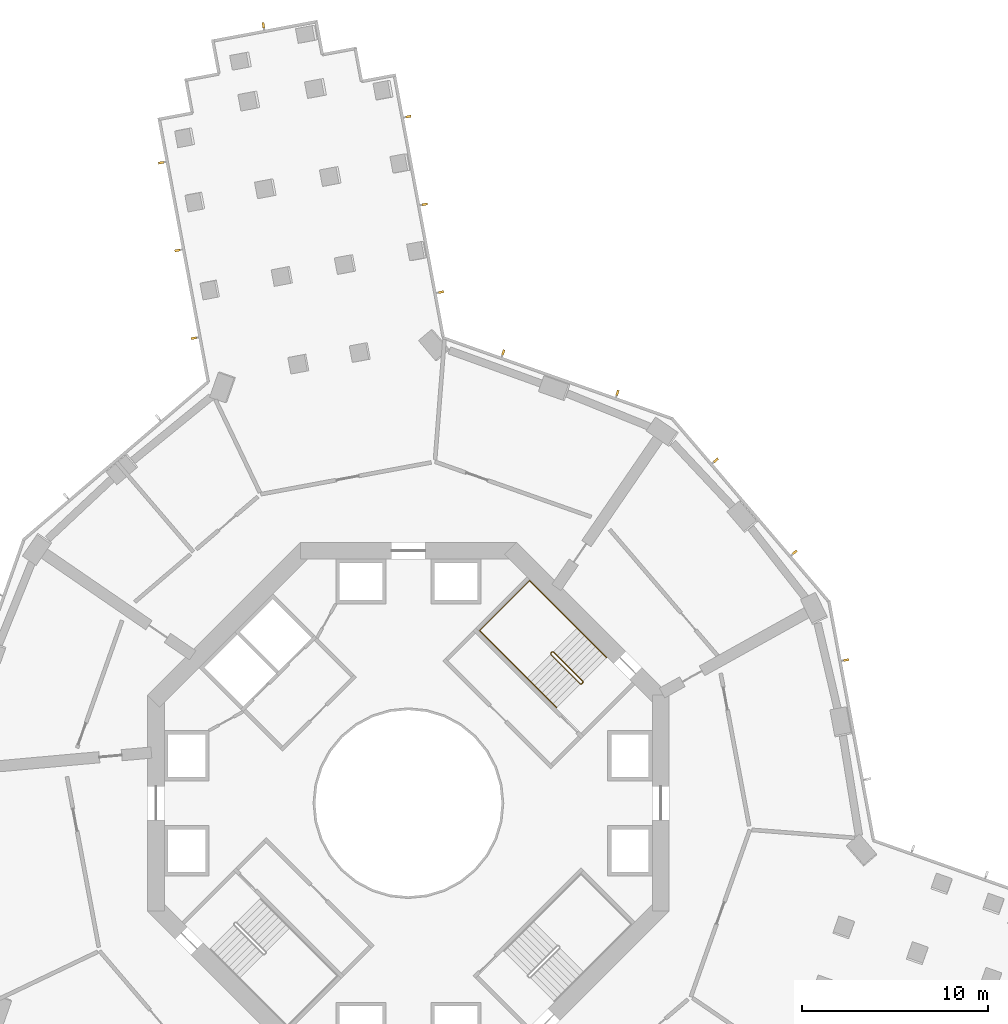
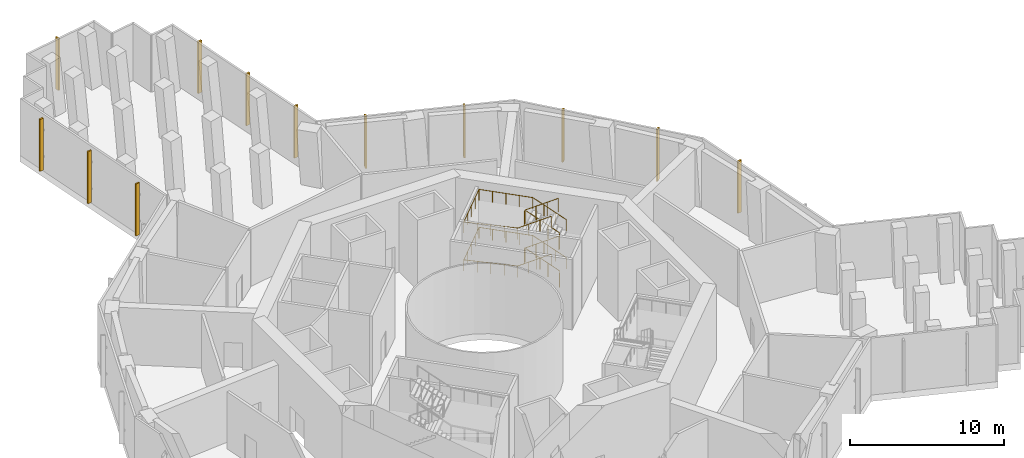
# One storey, part 20 of 20: 12 shading devices, 3 railings.
"""IFC4 building model written with IfcOpenShell, lengths in metres."""

from ifc_helpers import new_model, si_unit, direction, frame, origin, origin_2d, place, context, subcontext, project, spatial, rectangle, circle, extrude, material, material_profile, profile_set, type_object, element, save


model = new_model("IFC4")

# Units and contexts
model_context = context("Model", 3, precision=1e-05, world=origin(), true_north=direction((0.0, 1.0)))
body_context = subcontext(model_context, "Body", "Model", "MODEL_VIEW")
ifc_project = project(units=[si_unit("LENGTHUNIT", "METRE"), si_unit("AREAUNIT", "SQUARE_METRE"), si_unit("VOLUMEUNIT", "CUBIC_METRE"), si_unit("PLANEANGLEUNIT", "RADIAN"), si_unit("MASSUNIT", "GRAM", prefix="KILO")], contexts=[model_context])

# Site, building, storey
site_placement = place(None, origin())
site = spatial("IfcSite", under=ifc_project, at=site_placement, CompositionType="ELEMENT")
building_placement = place(site_placement, origin())
building = spatial("IfcBuilding", under=site, at=building_placement, Name="Verdalira Terraces Hotel", CompositionType="ELEMENT")
storey_placement = place(building_placement, frame((0.0, 0.0, 75.0)))
storey = spatial("IfcBuildingStorey", under=building, at=storey_placement, Name="L17", CompositionType="ELEMENT", Elevation=75.0)

# Railings
ifc_material_1 = material(Name="Stainless steel", Category="steel")
railing_type_1 = type_object("IfcRailingType", Name="Stair guard 1100", PredefinedType="GUARDRAIL", material=ifc_material_1)
railing_1_placement = place(storey_placement, frame((9.369141, 6.469971, 0.0)))
element("IfcRailing", 1, at=railing_1_placement, inside=storey, type_object=railing_type_1, Name="L17 ST1 stair guard 1", PredefinedType="GUARDRAIL", context=body_context, shape_type="SweptSolid", body=[
    extrude(circle(Radius=0.023926, at=origin_2d()), frame((0.0, 0.0, 1.076172), z_axis=(-0.70832698, -0.705884473, 0.0), x_axis=(0.705884473, -0.70832698, 0.0)), (0.0, 0.0, 1.0), 0.099854),
    extrude(circle(Radius=0.023926, at=origin_2d()), frame((-0.070801, -0.070557, 1.076172), z_axis=(0.308122069, 0.615181649, 0.725680598), x_axis=(-0.894118129, 0.447831187, 0.0)), (0.0, 0.0, 1.0), 0.229736),
    extrude(circle(Radius=0.023926, at=origin_2d()), frame((0.0, 0.070801, 1.242676), z_axis=(-0.607628069, 0.607628069, 0.511445266), x_axis=(-0.707106781, -0.707106781, 0.0)), (0.0, 0.0, 1.0), 2.606934),
    extrude(circle(Radius=0.023926, at=origin_2d()), frame((-1.583984, 1.654785, 2.576172), z_axis=(-1.0, 0.0, 0.0), x_axis=(0.0, -1.0, 0.0)), (0.0, 0.0, 1.0), 0.070557),
    extrude(circle(Radius=0.023926, at=origin_2d()), frame((-1.654541, 1.654785, 2.576172), z_axis=(-0.707106781, -0.707106781, 0.0), x_axis=(0.707106781, -0.707106781, 0.0)), (0.0, 0.0, 1.0), 0.100098),
    extrude(circle(Radius=0.023926, at=origin_2d()), frame((-1.725342, 1.583984, 2.576172), z_axis=(0.0, -0.390826706, 0.920464277), x_axis=(1.0, 0.0, 0.0)), (0.0, 0.0, 1.0), 0.181152),
    extrude(circle(Radius=0.023926, at=origin_2d()), frame((-1.725342, 1.513184, 2.742676), z_axis=(0.607662647, -0.607568988, 0.511474371), x_axis=(0.707052281, 0.707161277, 0.0)), (0.0, 0.0, 1.0), 2.606689),
    extrude(circle(Radius=0.023926, at=origin_2d()), frame((-0.141357, -0.070557, 4.076172), z_axis=(1.0, 0.0, 0.0), x_axis=(0.0, 1.0, 0.0)), (0.0, 0.0, 1.0), 0.070557),
    extrude(circle(Radius=0.023926, at=origin_2d()), frame((-0.070801, -0.070557, 4.076172), z_axis=(0.70832698, 0.705884473, 0.0), x_axis=(-0.705884473, 0.70832698, 0.0)), (0.0, 0.0, 1.0), 0.099854),
    extrude(circle(Radius=0.023926, at=origin_2d()), frame((0.0, 0.0, 4.076172), z_axis=(0.0, 0.390826706, 0.920464277), x_axis=(-1.0, 0.0, 0.0)), (0.0, 0.0, 1.0), 0.181152),
    extrude(circle(Radius=0.023926, at=origin_2d()), frame((0.0, 0.070801, 4.242676), z_axis=(-0.607628069, 0.607628069, 0.511445266), x_axis=(-0.707106781, -0.707106781, 0.0)), (0.0, 0.0, 1.0), 2.606934),
    extrude(circle(Radius=0.023926, at=origin_2d()), frame((-1.583984, 1.654785, 5.576172), z_axis=(-1.0, 0.0, 0.0), x_axis=(0.0, -1.0, 0.0)), (0.0, 0.0, 1.0), 0.070557),
    extrude(circle(Radius=0.023926, at=origin_2d()), frame((-1.654541, 1.654785, 5.576172), z_axis=(-0.707106781, -0.707106781, 0.0), x_axis=(0.707106781, -0.707106781, 0.0)), (0.0, 0.0, 1.0), 0.100098),
    extrude(circle(Radius=0.023926, at=origin_2d()), frame((-1.725342, 1.583984, 5.576172), z_axis=(0.0, -0.390826706, 0.920464277), x_axis=(1.0, 0.0, 0.0)), (0.0, 0.0, 1.0), 0.181152),
    extrude(circle(Radius=0.023926, at=origin_2d()), frame((-1.725342, 1.513184, 5.742676), z_axis=(0.607662647, -0.607568988, 0.511474371), x_axis=(0.707052281, 0.707161277, 0.0)), (0.0, 0.0, 1.0), 2.606689),
    extrude(circle(Radius=0.020996, at=origin_2d()), origin(), (0.0, 0.0, 1.0), 1.052002),
    extrude(circle(Radius=0.020996, at=origin_2d()), frame((-0.070801, -0.070557, 0.0)), (0.0, 0.0, 1.0), 1.052002),
    extrude(circle(Radius=0.020996, at=origin_2d()), frame((0.0, 0.070801, 0.166748)), (0.0, 0.0, 1.0), 1.052002),
    extrude(circle(Radius=0.020996, at=origin_2d()), frame((-0.528076, 0.598877, 0.611084)), (0.0, 0.0, 1.0), 1.052002),
    extrude(circle(Radius=0.020996, at=origin_2d()), frame((-1.055908, 1.126709, 1.055664)), (0.0, 0.0, 1.0), 1.052002),
    extrude(circle(Radius=0.020996, at=origin_2d()), frame((-1.583984, 1.654785, 1.5)), (0.0, 0.0, 1.0), 1.052002),
    extrude(circle(Radius=0.020996, at=origin_2d()), frame((-1.654541, 1.654785, 1.5)), (0.0, 0.0, 1.0), 1.052002),
    extrude(circle(Radius=0.020996, at=origin_2d()), frame((-1.725342, 1.583984, 1.5)), (0.0, 0.0, 1.0), 1.052002),
    extrude(circle(Radius=0.020996, at=origin_2d()), frame((-1.725342, 1.513184, 1.666748)), (0.0, 0.0, 1.0), 1.052002),
    extrude(circle(Radius=0.020996, at=origin_2d()), frame((-1.197266, 0.985352, 2.111084)), (0.0, 0.0, 1.0), 1.052002),
    extrude(circle(Radius=0.020996, at=origin_2d()), frame((-0.669434, 0.457275, 2.555664)), (0.0, 0.0, 1.0), 1.052002),
    extrude(circle(Radius=0.020996, at=origin_2d()), frame((-0.141357, -0.070557, 3.0)), (0.0, 0.0, 1.0), 1.052002),
    extrude(circle(Radius=0.020996, at=origin_2d()), frame((-0.070801, -0.070557, 3.0)), (0.0, 0.0, 1.0), 1.052002),
    extrude(circle(Radius=0.020996, at=origin_2d()), frame((0.0, 0.0, 3.0)), (0.0, 0.0, 1.0), 1.052002),
    extrude(circle(Radius=0.020996, at=origin_2d()), frame((0.0, 0.070801, 3.166748)), (0.0, 0.0, 1.0), 1.052002),
    extrude(circle(Radius=0.020996, at=origin_2d()), frame((-0.528076, 0.598877, 3.611084)), (0.0, 0.0, 1.0), 1.052002),
    extrude(circle(Radius=0.020996, at=origin_2d()), frame((-1.055908, 1.126709, 4.055664)), (0.0, 0.0, 1.0), 1.052002),
    extrude(circle(Radius=0.020996, at=origin_2d()), frame((-1.583984, 1.654785, 4.5)), (0.0, 0.0, 1.0), 1.052002),
    extrude(circle(Radius=0.020996, at=origin_2d()), frame((-1.654541, 1.654785, 4.5)), (0.0, 0.0, 1.0), 1.052002),
    extrude(circle(Radius=0.020996, at=origin_2d()), frame((-1.725342, 1.583984, 4.5)), (0.0, 0.0, 1.0), 1.052002),
    extrude(circle(Radius=0.020996, at=origin_2d()), frame((-1.725342, 1.513184, 4.666748)), (0.0, 0.0, 1.0), 1.052002),
    extrude(circle(Radius=0.020996, at=origin_2d()), frame((-1.197266, 0.985352, 5.111084)), (0.0, 0.0, 1.0), 1.052002),
    extrude(circle(Radius=0.020996, at=origin_2d()), frame((-0.669434, 0.457275, 5.555664)), (0.0, 0.0, 1.0), 1.052002),
    extrude(circle(Radius=0.020996, at=origin_2d()), frame((-0.141357, -0.070557, 6.0)), (0.0, 0.0, 1.0), 1.052002),
])
ifc_material_2 = material(Name="Stainless steel", Category="steel")
railing_type_2 = type_object("IfcRailingType", Name="Stair handrail 900", PredefinedType="HANDRAIL", material=ifc_material_2)
railing_2_placement = place(storey_placement, frame((10.641846, 7.813477, 0.166748)))
element("IfcRailing", 2, at=railing_2_placement, inside=storey, type_object=railing_type_2, Name="L17 ST1 stair handrail 1", PredefinedType="HANDRAIL", context=body_context, shape_type="SweptSolid", body=[
    extrude(circle(Radius=0.023926, at=origin_2d()), frame((0.0, 0.0, 0.875977), z_axis=(-0.607568988, 0.607662647, 0.511474371), x_axis=(-0.707161277, -0.707052281, 0.0)), (0.0, 0.0, 1.0), 2.606689),
    extrude(circle(Radius=0.023926, at=origin_2d()), frame((-1.58374, 1.583984, 2.208984), z_axis=(-0.707106781, 0.707106781, 0.0), x_axis=(-0.707106781, -0.707106781, 0.0)), (0.0, 0.0, 1.0), 3.610107),
    extrude(circle(Radius=0.023926, at=origin_2d()), frame((-4.136475, 4.136719, 2.208984), z_axis=(-0.707106781, -0.707106781, 0.0), x_axis=(0.707106781, -0.707106781, 0.0)), (0.0, 0.0, 1.0), 3.800049),
    extrude(circle(Radius=0.023926, at=origin_2d()), frame((-6.823486, 1.449707, 2.208984), z_axis=(0.706353701, -0.706353701, 0.046139975), x_axis=(0.707106781, 0.707106781, 0.0)), (0.0, 0.0, 1.0), 3.614014),
    extrude(circle(Radius=0.023926, at=origin_2d()), frame((-4.270752, -1.103027, 2.375977), z_axis=(0.607568988, -0.607662647, 0.511474371), x_axis=(0.707161277, 0.707052281, 0.0)), (0.0, 0.0, 1.0), 2.606689),
    extrude(circle(Radius=0.020996, at=origin_2d()), origin(), (0.0, 0.0, 1.0), 0.851807),
    extrude(circle(Radius=0.020996, at=origin_2d()), frame((-0.527832, 0.528076, 0.444336)), (0.0, 0.0, 1.0), 0.851807),
    extrude(circle(Radius=0.020996, at=origin_2d()), frame((-1.055908, 1.055908, 0.888916)), (0.0, 0.0, 1.0), 0.851807),
    extrude(circle(Radius=0.020996, at=origin_2d()), frame((-1.58374, 1.583984, 1.333252)), (0.0, 0.0, 1.0), 0.851807),
    extrude(circle(Radius=0.020996, at=origin_2d()), frame((-2.221924, 2.222168, 1.333252)), (0.0, 0.0, 1.0), 0.851807),
    extrude(circle(Radius=0.020996, at=origin_2d()), frame((-2.860107, 2.860352, 1.333252)), (0.0, 0.0, 1.0), 0.851807),
    extrude(circle(Radius=0.020996, at=origin_2d()), frame((-3.498291, 3.498535, 1.333252)), (0.0, 0.0, 1.0), 0.851807),
    extrude(circle(Radius=0.020996, at=origin_2d()), frame((-4.136475, 4.136719, 1.333252)), (0.0, 0.0, 1.0), 0.851807),
    extrude(circle(Radius=0.020996, at=origin_2d()), frame((-4.808105, 3.464844, 1.333252)), (0.0, 0.0, 1.0), 0.851807),
    extrude(circle(Radius=0.020996, at=origin_2d()), frame((-5.47998, 2.793213, 1.333252)), (0.0, 0.0, 1.0), 0.851807),
    extrude(circle(Radius=0.020996, at=origin_2d()), frame((-6.151855, 2.121582, 1.333252)), (0.0, 0.0, 1.0), 0.851807),
    extrude(circle(Radius=0.020996, at=origin_2d()), frame((-6.823486, 1.449707, 1.333252)), (0.0, 0.0, 1.0), 0.851807),
    extrude(circle(Radius=0.020996, at=origin_2d()), frame((-6.185303, 0.811523, 1.375)), (0.0, 0.0, 1.0), 0.851807),
    extrude(circle(Radius=0.020996, at=origin_2d()), frame((-5.547119, 0.17334, 1.416504)), (0.0, 0.0, 1.0), 0.851807),
    extrude(circle(Radius=0.020996, at=origin_2d()), frame((-4.908936, -0.464844, 1.458252)), (0.0, 0.0, 1.0), 0.851807),
    extrude(circle(Radius=0.020996, at=origin_2d()), frame((-4.270752, -1.103027, 1.5)), (0.0, 0.0, 1.0), 0.851807),
    extrude(circle(Radius=0.020996, at=origin_2d()), frame((-3.74292, -1.631104, 1.944336)), (0.0, 0.0, 1.0), 0.851807),
    extrude(circle(Radius=0.020996, at=origin_2d()), frame((-3.214844, -2.158936, 2.388916)), (0.0, 0.0, 1.0), 0.851807),
    extrude(circle(Radius=0.020996, at=origin_2d()), frame((-2.687012, -2.687012, 2.833252)), (0.0, 0.0, 1.0), 0.851807),
])
railing_3_placement = place(storey_placement, frame((10.641846, 7.813477, 3.166748)))
element("IfcRailing", 3, at=railing_3_placement, inside=storey, type_object=railing_type_2, Name="L17 ST1 stair handrail 2", PredefinedType="HANDRAIL", context=body_context, shape_type="SweptSolid", body=[
    extrude(circle(Radius=0.023926, at=origin_2d()), frame((0.0, 0.0, 0.875977), z_axis=(-0.607568988, 0.607662647, 0.511474371), x_axis=(-0.707161277, -0.707052281, 0.0)), (0.0, 0.0, 1.0), 2.606689),
    extrude(circle(Radius=0.023926, at=origin_2d()), frame((-1.58374, 1.583984, 2.208984), z_axis=(-0.707106781, 0.707106781, 0.0), x_axis=(-0.707106781, -0.707106781, 0.0)), (0.0, 0.0, 1.0), 3.610107),
    extrude(circle(Radius=0.023926, at=origin_2d()), frame((-4.136475, 4.136719, 2.208984), z_axis=(-0.707106781, -0.707106781, 0.0), x_axis=(0.707106781, -0.707106781, 0.0)), (0.0, 0.0, 1.0), 3.800049),
    extrude(circle(Radius=0.023926, at=origin_2d()), frame((-6.823486, 1.449707, 2.208984), z_axis=(0.706353701, -0.706353701, 0.046139975), x_axis=(0.707106781, 0.707106781, 0.0)), (0.0, 0.0, 1.0), 3.614014),
    extrude(circle(Radius=0.023926, at=origin_2d()), frame((-4.270752, -1.103027, 2.375977), z_axis=(0.607568988, -0.607662647, 0.511474371), x_axis=(0.707161277, 0.707052281, 0.0)), (0.0, 0.0, 1.0), 2.606689),
    extrude(circle(Radius=0.020996, at=origin_2d()), origin(), (0.0, 0.0, 1.0), 0.851807),
    extrude(circle(Radius=0.020996, at=origin_2d()), frame((-0.527832, 0.528076, 0.444336)), (0.0, 0.0, 1.0), 0.851807),
    extrude(circle(Radius=0.020996, at=origin_2d()), frame((-1.055908, 1.055908, 0.888916)), (0.0, 0.0, 1.0), 0.851807),
    extrude(circle(Radius=0.020996, at=origin_2d()), frame((-1.58374, 1.583984, 1.333252)), (0.0, 0.0, 1.0), 0.851807),
    extrude(circle(Radius=0.020996, at=origin_2d()), frame((-2.221924, 2.222168, 1.333252)), (0.0, 0.0, 1.0), 0.851807),
    extrude(circle(Radius=0.020996, at=origin_2d()), frame((-2.860107, 2.860352, 1.333252)), (0.0, 0.0, 1.0), 0.851807),
    extrude(circle(Radius=0.020996, at=origin_2d()), frame((-3.498291, 3.498535, 1.333252)), (0.0, 0.0, 1.0), 0.851807),
    extrude(circle(Radius=0.020996, at=origin_2d()), frame((-4.136475, 4.136719, 1.333252)), (0.0, 0.0, 1.0), 0.851807),
    extrude(circle(Radius=0.020996, at=origin_2d()), frame((-4.808105, 3.464844, 1.333252)), (0.0, 0.0, 1.0), 0.851807),
    extrude(circle(Radius=0.020996, at=origin_2d()), frame((-5.47998, 2.793213, 1.333252)), (0.0, 0.0, 1.0), 0.851807),
    extrude(circle(Radius=0.020996, at=origin_2d()), frame((-6.151855, 2.121582, 1.333252)), (0.0, 0.0, 1.0), 0.851807),
    extrude(circle(Radius=0.020996, at=origin_2d()), frame((-6.823486, 1.449707, 1.333252)), (0.0, 0.0, 1.0), 0.851807),
    extrude(circle(Radius=0.020996, at=origin_2d()), frame((-6.185303, 0.811523, 1.375)), (0.0, 0.0, 1.0), 0.851807),
    extrude(circle(Radius=0.020996, at=origin_2d()), frame((-5.547119, 0.17334, 1.416504)), (0.0, 0.0, 1.0), 0.851807),
    extrude(circle(Radius=0.020996, at=origin_2d()), frame((-4.908936, -0.464844, 1.458252)), (0.0, 0.0, 1.0), 0.851807),
    extrude(circle(Radius=0.020996, at=origin_2d()), frame((-4.270752, -1.103027, 1.5)), (0.0, 0.0, 1.0), 0.851807),
    extrude(circle(Radius=0.020996, at=origin_2d()), frame((-3.74292, -1.631104, 1.944336)), (0.0, 0.0, 1.0), 0.851807),
    extrude(circle(Radius=0.020996, at=origin_2d()), frame((-3.214844, -2.158936, 2.388916)), (0.0, 0.0, 1.0), 0.851807),
    extrude(circle(Radius=0.020996, at=origin_2d()), frame((-2.687012, -2.687012, 2.833252)), (0.0, 0.0, 1.0), 0.851807),
])

# Shading devices
ifc_material_3 = material(Name="Terracotta frame", Category="masonry")
ifc_material_profile = material_profile(ifc_material_3, rectangle(XDim=0.120117, YDim=0.300049, at=origin_2d()), Name="FIN 120x300")
ifc_profile_set = profile_set([ifc_material_profile], Name="Terracotta frame")
shading_device_type = type_object("IfcShadingDeviceType", Name="Terracotta fin 120x300", PredefinedType="USERDEFINED", material=ifc_profile_set)
for number, where, z_axis, x_axis, name in (
    (4, (1.750977, 27.438965, 0.199951), (0.0, 0.0, 1.0), (-0.183265088, 0.983063532, 0.0), "Terracotta fin"),
    (5, (0.873291, 32.147705, 0.199951), (0.0, 0.0, 1.0), (-0.183265088, 0.983063532, 0.0), "Terracotta fin"),
    (6, (-0.004639, 36.856689, 0.199951), (0.0, 0.0, 1.0), (-0.183265088, 0.983063532, 0.0), "Terracotta fin"),
    (7, (-7.784668, 41.758789, 0.199951), (0.0, 0.0, 1.0), (-0.983063532, -0.183265088, 0.0), "Terracotta fin"),
    (8, (-13.275879, 34.382568, 0.199951), (0.0, 0.0, 1.0), (0.183265088, -0.983063532, 0.0), "Terracotta fin"),
    (9, (-12.398193, 29.673828, 0.199951), (0.0, 0.0, 1.0), (0.183265088, -0.983063532, 0.0), "Terracotta fin"),
    (10, (-11.520264, 24.964844, 0.199951), (0.0, 0.0, 1.0), (0.183265088, -0.983063532, 0.0), "Terracotta fin"),
    (11, (23.497559, 7.686523, 0.199951), (0.0, 0.0, 1.0), (-0.183265088, 0.983063532, 0.0), "Terracotta fin"),
    (12, (20.73291, 13.467285, 0.199951), (0.0, 0.0, 1.0), (-0.650243987, 0.759725448, 0.0), "Terracotta fin"),
    (13, (16.506348, 18.405518, 0.199951), (0.0, 0.0, 1.0), (-0.650243987, 0.759725448, 0.0), "Terracotta fin"),
    (14, (11.22168, 22.029541, 0.199951), (0.0, 0.0, 1.0), (-0.942990536, 0.332819545, 0.0), "Terracotta fin"),
    (15, (5.092041, 24.192871, 0.199951), (0.0, 0.0, 1.0), (-0.942990536, 0.332819545, 0.0), "Terracotta fin"),
):
    element("IfcShadingDevice", number, at=place(storey_placement, frame(where, z_axis=z_axis, x_axis=x_axis)), inside=storey, type_object=shading_device_type, Name=name, ObjectType="FIN", PredefinedType="USERDEFINED", context=body_context, shape_type="SweptSolid", body=[
        extrude(rectangle(XDim=0.120117, YDim=0.300049, at=origin_2d()), origin(), (0.0, 0.0, 1.0), 4.100098),
    ])

save(model, "model.ifc")
